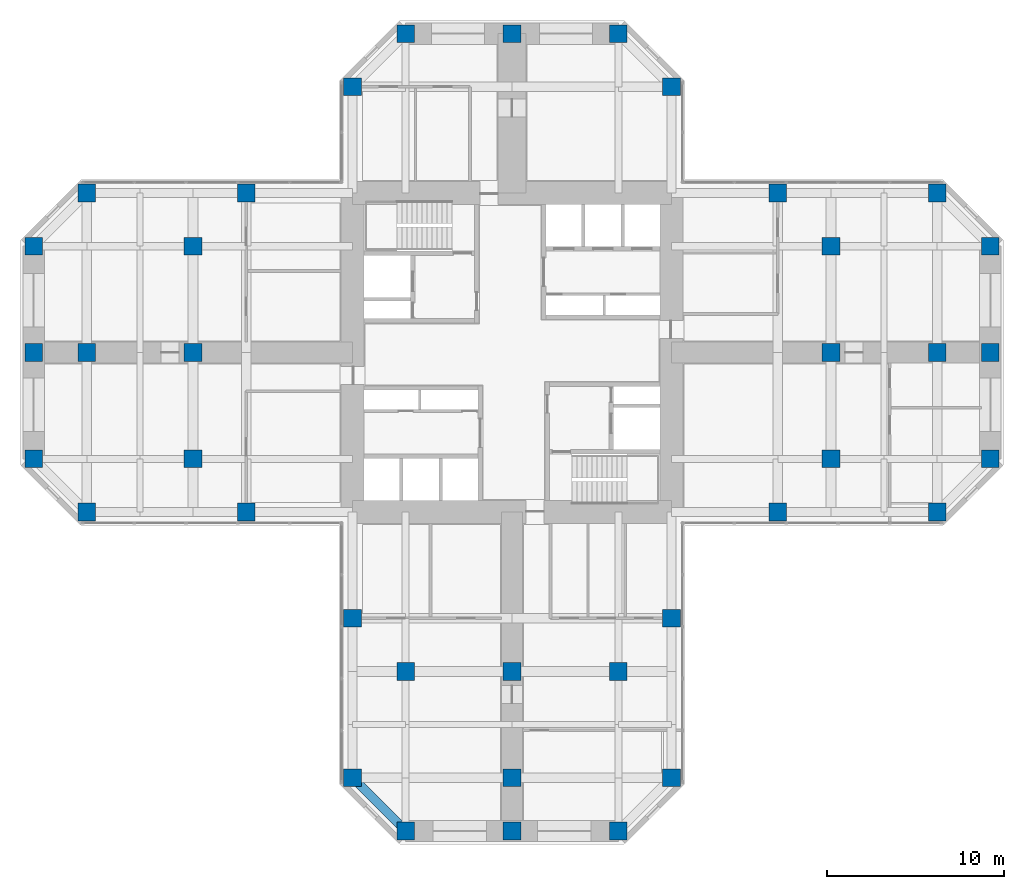
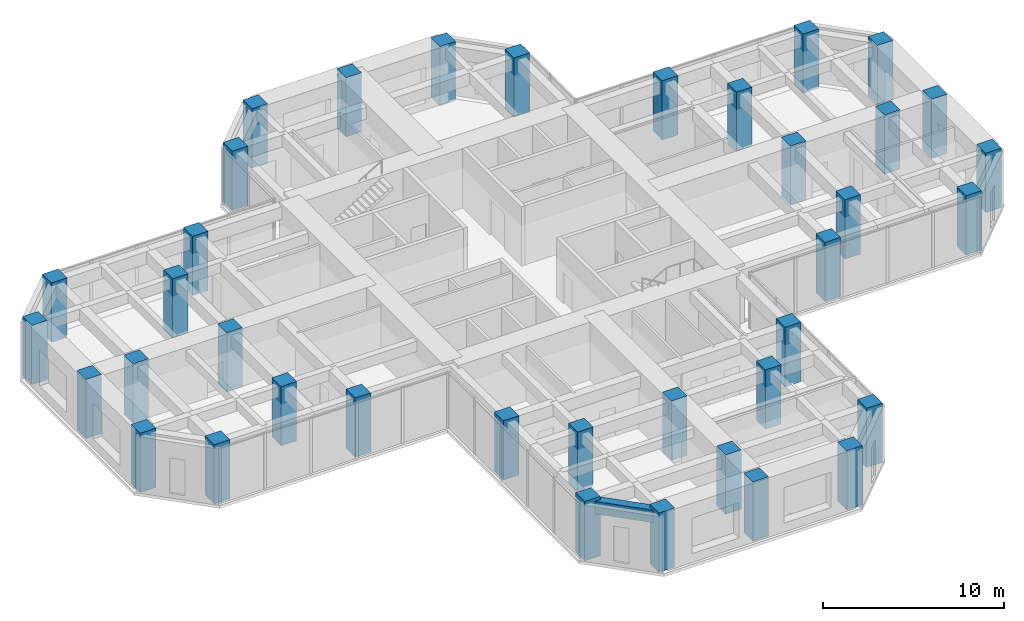
# One storey, part 1 of 12: 38 columns, 1 beam.
"""IFC4 building model written with IfcOpenShell, lengths in metres."""

import ifcopenshell
import ifcopenshell.guid

model = None  # the IFC model being written
_history = None  # IfcOwnerHistory: only IFC2X3 demands one
_inside = {}  # id of a spatial element -> (the spatial element, [elements in it])
_under = {}  # id of a project, library or spatial element -> (it, [spatial elements below it])
_declared = {}  # id of a project -> (the project, [libraries it declares])
_typed = {}  # id of a type object -> (the type object, [elements of that type])
_made_of = {}  # id of a material, layer set ... -> (it, [elements and type objects made of it])


def new_model(schema):
    """Start an empty IFC model of exactly this schema.

    Asked for "IFC4X3", IfcOpenShell would pick the latest addendum, in which some entities
    have other attributes; the version numbers below select the first issue.
    IFC2X3 requires an IfcOwnerHistory on every rooted entity: one is made here for all.
    """
    global model, _history
    if schema == "IFC4X3":
        model = ifcopenshell.file(schema_version=(4, 3, 0, 0))
    else:
        model = ifcopenshell.file(schema=schema)
    _inside.clear()
    _under.clear()
    _declared.clear()
    _typed.clear()
    _made_of.clear()
    _history = None
    if model.schema == "IFC2X3":
        org = make("IfcOrganization", Name="unknown")
        user = make(
            "IfcPersonAndOrganization",
            ThePerson=make("IfcPerson", FamilyName="unknown"),
            TheOrganization=org,
        )
        app = make(
            "IfcApplication",
            ApplicationDeveloper=org,
            Version="unknown",
            ApplicationFullName="unknown",
            ApplicationIdentifier="unknown",
        )
        _history = make(
            "IfcOwnerHistory",
            OwningUser=user,
            OwningApplication=app,
            ChangeAction="ADDED",
            CreationDate=0,
        )
    return model


def make(cls, **values):
    """One entity of the class cls with the attributes given. An attribute that is None is left unset."""
    return model.create_entity(
        cls, **{name: value for name, value in values.items() if value is not None}
    )


def rooted(cls, **values):
    """An entity with a GlobalId (a new one), such as an element, a storey or a relation."""
    return make(cls, GlobalId=ifcopenshell.guid.new(), OwnerHistory=_history, **values)


def si_unit(unit_type, name, prefix=None):
    """IfcSIUnit, for example si_unit("LENGTHUNIT", "METRE", prefix="MILLI")."""
    return make("IfcSIUnit", UnitType=unit_type, Prefix=prefix, Name=name)


def assignment(units):
    """IfcUnitAssignment: the units of a project."""
    return None if units is None else make("IfcUnitAssignment", Units=units)


def point(xyz):
    """IfcCartesianPoint."""
    return None if xyz is None else make("IfcCartesianPoint", Coordinates=xyz)


def direction(xyz):
    """IfcDirection."""
    return None if xyz is None else make("IfcDirection", DirectionRatios=xyz)


def frame(location, z_axis=None, x_axis=None):
    """IfcAxis2Placement3D, a coordinate frame: its origin and axes. An axis left out is left unset."""
    return make(
        "IfcAxis2Placement3D",
        Location=point(location),
        Axis=direction(z_axis),
        RefDirection=direction(x_axis),
    )


def frame_2d(location, x_axis=None):
    """IfcAxis2Placement2D, a coordinate frame in the plane: its origin and x axis."""
    return make(
        "IfcAxis2Placement2D", Location=point(location), RefDirection=direction(x_axis)
    )


def origin():
    """The frame at (0, 0, 0) with its axes left unset."""
    return frame((0.0, 0.0, 0.0))


def origin_2d():
    """The frame at (0, 0) in the plane with its x axis left unset."""
    return frame_2d((0.0, 0.0))


def place(relative_to, where):
    """IfcLocalPlacement: puts the frame where relative to a parent placement (None: the world)."""
    return make(
        "IfcLocalPlacement", PlacementRelTo=relative_to, RelativePlacement=where
    )


def context(
    kind, dimensions, precision=None, world=None, true_north=None, identifier=None
):
    """IfcGeometricRepresentationContext, for example the 3D "Model" context."""
    return make(
        "IfcGeometricRepresentationContext",
        ContextIdentifier=identifier,
        ContextType=kind,
        CoordinateSpaceDimension=dimensions,
        Precision=precision,
        WorldCoordinateSystem=world,
        TrueNorth=true_north,
    )


def subcontext(parent, identifier, kind, view, scale=None):
    """IfcGeometricRepresentationSubContext, for example "Body" below "Model"."""
    return make(
        "IfcGeometricRepresentationSubContext",
        ContextIdentifier=identifier,
        ContextType=kind,
        ParentContext=parent,
        TargetScale=scale,
        TargetView=view,
    )


def project(units=None, contexts=None):
    """IfcProject with its units and contexts."""
    return rooted(
        "IfcProject",
        Name="project",
        RepresentationContexts=contexts,
        UnitsInContext=assignment(units),
    )


def spatial(cls, under=None, at=None, **own):
    """A site, building, storey or space (cls), placed at a placement, below another one or the project."""
    s = rooted(cls, ObjectPlacement=at, **own)
    if under is not None:
        _under.setdefault(under.id(), (under, []))[1].append(s)
    return s


def profile(cls, at=None, kind="AREA", **sizes):
    """A parametric profile (cls). Its sizes go by their IFC names, for example OverallWidth=200.0."""
    return make(cls, ProfileType=kind, Position=at, **sizes)


def rectangle(**sizes):
    """IfcRectangleProfileDef."""
    return profile("IfcRectangleProfileDef", **sizes)


def extrude(swept, where, along, depth):
    """IfcExtrudedAreaSolid: the profile swept, set in the frame where, extruded along a direction by depth."""
    return make(
        "IfcExtrudedAreaSolid",
        SweptArea=swept,
        Position=where,
        ExtrudedDirection=direction(along),
        Depth=depth,
    )


def shape(context_of_items, identifier, shape_type, items):
    """IfcShapeRepresentation: the items that make up one representation, for example the "Body"."""
    return make(
        "IfcShapeRepresentation",
        ContextOfItems=context_of_items,
        RepresentationIdentifier=identifier,
        RepresentationType=shape_type,
        Items=items,
    )


def material(Name=None, Category=None):
    """IfcMaterial."""
    return make("IfcMaterial", Name=Name, Category=Category)


def material_profile(
    of_material, cross_section, Name=None, Category=None, Priority=None
):
    """IfcMaterialProfile: a cross section and its material."""
    return make(
        "IfcMaterialProfile",
        Name=Name,
        Material=of_material,
        Profile=cross_section,
        Priority=Priority,
        Category=Category,
    )


def profile_set(profiles, Name=None, composite=None):
    """IfcMaterialProfileSet."""
    return make(
        "IfcMaterialProfileSet",
        Name=Name,
        MaterialProfiles=profiles,
        CompositeProfile=composite,
    )


def made_of(thing, what):
    """Note that an element or type object is made of a material, layer set ...; save() writes the relation."""
    if what is not None:
        _made_of.setdefault(what.id(), (what, []))[1].append(thing)
    return thing


def type_object(cls, material=None, **own):
    """A type object (cls), such as IfcWallType, which elements share."""
    return made_of(rooted(cls, **own), material)


def element(
    cls,
    number,
    at=None,
    inside=None,
    cuts=None,
    type_object=None,
    material=None,
    context=None,
    identifier="Body",
    shape_type=None,
    held_by="IfcProductDefinitionShape",
    body=None,
    shapes=None,
    **own,
):
    """One element of the class cls, such as IfcWall. Its Tag is "e" and its number.

    at: its placement. inside: the storey or other place that contains it. cuts: it is an
    opening in that element (IfcRelVoidsElement). A single representation is given by context,
    identifier, shape_type and body (its items); several are given by shapes. held_by: the class
    of the entity that holds the representations. save() writes the other relations.
    """
    e = rooted(cls, Tag="e%d" % number, ObjectPlacement=at, **own)
    if body is not None:
        shapes = [shape(context, identifier, shape_type, body)]
    if shapes is not None:
        e.Representation = make(held_by, Representations=shapes)
    if inside is not None:
        _inside.setdefault(inside.id(), (inside, []))[1].append(e)
    if cuts is not None:
        rooted(
            "IfcRelVoidsElement", RelatingBuildingElement=cuts, RelatedOpeningElement=e
        )
    if type_object is not None:
        _typed.setdefault(type_object.id(), (type_object, []))[1].append(e)
    return made_of(e, material)


def aggregate(whole, parts):
    """IfcRelAggregates: a whole, such as a stair, and the parts it consists of."""
    return rooted("IfcRelAggregates", RelatingObject=whole, RelatedObjects=parts)


def save(model, path):
    """Write the relations noted so far, then the file.

    IfcRelAggregates (storeys below a building ...), IfcRelContainedInSpatialStructure (elements
    in a storey), IfcRelDefinesByType, IfcRelAssociatesMaterial and IfcRelDeclares: one each for
    every whole, place, type object, material and project.
    """
    for whole, parts in _under.values():
        aggregate(whole, parts)
    for where, things in _inside.values():
        rooted(
            "IfcRelContainedInSpatialStructure",
            RelatedElements=things,
            RelatingStructure=where,
        )
    for kind, things in _typed.values():
        rooted("IfcRelDefinesByType", RelatedObjects=things, RelatingType=kind)
    for what, things in _made_of.values():
        rooted("IfcRelAssociatesMaterial", RelatedObjects=things, RelatingMaterial=what)
    for by, libraries in _declared.values():
        rooted("IfcRelDeclares", RelatingContext=by, RelatedDefinitions=libraries)
    model.write(path)


model = new_model("IFC4")

# Units and contexts
model_context = context("Model", 3, precision=1e-05, world=origin(), true_north=direction((0.0, 1.0)))
body_context = subcontext(model_context, "Body", "Model", "MODEL_VIEW")
ifc_project = project(units=[si_unit("LENGTHUNIT", "METRE"), si_unit("AREAUNIT", "SQUARE_METRE"), si_unit("VOLUMEUNIT", "CUBIC_METRE"), si_unit("PLANEANGLEUNIT", "RADIAN"), si_unit("MASSUNIT", "GRAM", prefix="KILO")], contexts=[model_context])

# Site, building, storey
site_placement = place(None, origin())
site = spatial("IfcSite", under=ifc_project, at=site_placement, CompositionType="ELEMENT")
building_placement = place(site_placement, origin())
building = spatial("IfcBuilding", under=site, at=building_placement, Name="Torre Cruceta", CompositionType="ELEMENT")
storey_placement = place(building_placement, frame((0.0, 0.0, 120.5)))
storey = spatial("IfcBuildingStorey", under=building, at=storey_placement, Name="L29", CompositionType="ELEMENT", Elevation=120.5)

# Columns
ifc_material_1 = material(Name="Concrete G60 (fck 60 MPa)", Category="concrete")
ifc_material_profile_1 = material_profile(ifc_material_1, rectangle(XDim=1.0, YDim=1.0, at=origin_2d()), Name="RC 1000X1000")
ifc_profile_set_1 = profile_set([ifc_material_profile_1], Name="Concrete G60 (fck 60 MPa)")
column_type = type_object("IfcColumnType", Name="COLUMN RC 1000X1000", PredefinedType="COLUMN", material=ifc_profile_set_1)
for number, where, z_axis, x_axis, name in (
    (1, (9.0, 15.0, 0.0), (0.0, 0.0, 1.0), (1.0, 0.0, 0.0), "C5 L29 N chamfer"),
    (2, (-9.0, 15.0, 0.0), (0.0, 0.0, 1.0), (1.0, 0.0, 0.0), "C5 L29 N chamfer"),
    (3, (6.0, 18.0, 0.0), (0.0, 0.0, 1.0), (1.0, 0.0, 0.0), "C5 L29 N tip"),
    (4, (0.0, 18.0, 0.0), (0.0, 0.0, 1.0), (1.0, 0.0, 0.0), "C5 L29 N tip"),
    (5, (-6.0, 18.0, 0.0), (0.0, 0.0, 1.0), (1.0, 0.0, 0.0), "C5 L29 N tip"),
    (6, (15.0, -9.0, 0.0), (0.0, 0.0, 1.0), (1.0, 0.0, 0.0), "C5 L29 E side"),
    (7, (24.0, -9.0, 0.0), (0.0, 0.0, 1.0), (1.0, 0.0, 0.0), "C5 L29 E chamfer"),
    (8, (15.0, 9.0, 0.0), (0.0, 0.0, 1.0), (1.0, 0.0, 0.0), "C5 L29 E side"),
    (9, (24.0, 9.0, 0.0), (0.0, 0.0, 1.0), (1.0, 0.0, 0.0), "C5 L29 E chamfer"),
    (10, (27.0, -6.0, 0.0), (0.0, 0.0, 1.0), (1.0, 0.0, 0.0), "C5 L29 E tip"),
    (11, (27.0, 0.0, 0.0), (0.0, 0.0, 1.0), (1.0, 0.0, 0.0), "C5 L29 E tip"),
    (12, (27.0, 6.0, 0.0), (0.0, 0.0, 1.0), (1.0, 0.0, 0.0), "C5 L29 E tip"),
    (13, (-9.0, -15.0, 0.0), (0.0, 0.0, 1.0), (1.0, 0.0, 0.0), "C5 L29 S side"),
    (14, (-9.0, -24.0, 0.0), (0.0, 0.0, 1.0), (1.0, 0.0, 0.0), "C5 L29 S chamfer"),
    (15, (9.0, -15.0, 0.0), (0.0, 0.0, 1.0), (1.0, 0.0, 0.0), "C5 L29 S side"),
    (16, (9.0, -24.0, 0.0), (0.0, 0.0, 1.0), (1.0, 0.0, 0.0), "C5 L29 S chamfer"),
    (17, (-6.0, -27.0, 0.0), (0.0, 0.0, 1.0), (1.0, 0.0, 0.0), "C5 L29 S tip"),
    (18, (0.0, -27.0, 0.0), (0.0, 0.0, 1.0), (1.0, 0.0, 0.0), "C5 L29 S tip"),
    (19, (6.0, -27.0, 0.0), (0.0, 0.0, 1.0), (1.0, 0.0, 0.0), "C5 L29 S tip"),
    (20, (-15.0, 9.0, 0.0), (0.0, 0.0, 1.0), (1.0, 0.0, 0.0), "C5 L29 W side"),
    (21, (-24.0, 9.0, 0.0), (0.0, 0.0, 1.0), (1.0, 0.0, 0.0), "C5 L29 W chamfer"),
    (22, (-15.0, -9.0, 0.0), (0.0, 0.0, 1.0), (1.0, 0.0, 0.0), "C5 L29 W side"),
    (23, (-24.0, -9.0, 0.0), (0.0, 0.0, 1.0), (1.0, 0.0, 0.0), "C5 L29 W chamfer"),
    (24, (-27.0, 6.0, 0.0), (0.0, 0.0, 1.0), (1.0, 0.0, 0.0), "C5 L29 W tip"),
    (25, (-27.0, 0.0, 0.0), (0.0, 0.0, 1.0), (1.0, 0.0, 0.0), "C5 L29 W tip"),
    (26, (-27.0, -6.0, 0.0), (0.0, 0.0, 1.0), (1.0, 0.0, 0.0), "C5 L29 W tip"),
    (27, (18.0, -6.0, 0.0), (0.0, 0.0, 1.0), (1.0, 0.0, 0.0), "C5 L29 E interior"),
    (28, (18.0, 0.0, 0.0), (0.0, 0.0, 1.0), (1.0, 0.0, 0.0), "C5 L29 E interior"),
    (29, (18.0, 6.0, 0.0), (0.0, 0.0, 1.0), (1.0, 0.0, 0.0), "C5 L29 E interior"),
    (30, (24.0, 0.0, 0.0), (0.0, 0.0, 1.0), (1.0, 0.0, 0.0), "C5 L29 E interior"),
    (31, (-6.0, -18.0, 0.0), (0.0, 0.0, 1.0), (1.0, 0.0, 0.0), "C5 L29 S interior"),
    (32, (0.0, -18.0, 0.0), (0.0, 0.0, 1.0), (1.0, 0.0, 0.0), "C5 L29 S interior"),
    (33, (6.0, -18.0, 0.0), (0.0, 0.0, 1.0), (1.0, 0.0, 0.0), "C5 L29 S interior"),
    (34, (0.0, -24.0, 0.0), (0.0, 0.0, 1.0), (1.0, 0.0, 0.0), "C5 L29 S interior"),
    (35, (-18.0, 6.0, 0.0), (0.0, 0.0, 1.0), (1.0, 0.0, 0.0), "C5 L29 W interior"),
    (36, (-18.0, 0.0, 0.0), (0.0, 0.0, 1.0), (1.0, 0.0, 0.0), "C5 L29 W interior"),
    (37, (-18.0, -6.0, 0.0), (0.0, 0.0, 1.0), (1.0, 0.0, 0.0), "C5 L29 W interior"),
    (38, (-24.0, 0.0, 0.0), (0.0, 0.0, 1.0), (1.0, 0.0, 0.0), "C5 L29 W interior"),
):
    element("IfcColumn", number, at=place(storey_placement, frame(where, z_axis=z_axis, x_axis=x_axis)), inside=storey, type_object=column_type, Name=name, PredefinedType="COLUMN", context=body_context, shape_type="SweptSolid", body=[
        extrude(rectangle(XDim=1.0, YDim=1.0, at=origin_2d()), origin(), (0.0, 0.0, 1.0), 4.0),
    ])

# Beam
ifc_material_2 = material(Name="Concrete G60 (fck 60 MPa)", Category="concrete")
ifc_material_profile_2 = material_profile(ifc_material_2, rectangle(XDim=0.5, YDim=0.85009765625, at=origin_2d()), Name="RC 500X850")
ifc_profile_set_2 = profile_set([ifc_material_profile_2], Name="Concrete G60 (fck 60 MPa)")
beam_type = type_object("IfcBeamType", Name="SPANDREL BEAM RC 500X850", PredefinedType="SPANDREL", material=ifc_profile_set_2)
beam_placement = place(storey_placement, frame((-9.0, -24.0, 3.375), z_axis=(0.707106781187, -0.707106781187, 0.0), x_axis=(0.707106781187, 0.707106781187, 0.0)))
element("IfcBeam", 39, at=beam_placement, inside=storey, type_object=beam_type, Name="SB5 L29 S side- 5", PredefinedType="SPANDREL", context=body_context, shape_type="SweptSolid", body=[
    extrude(rectangle(XDim=0.5, YDim=0.85009765625, at=origin_2d()), origin(), (0.0, 0.0, 1.0), 4.24267578125),
])

save(model, "model.ifc")
